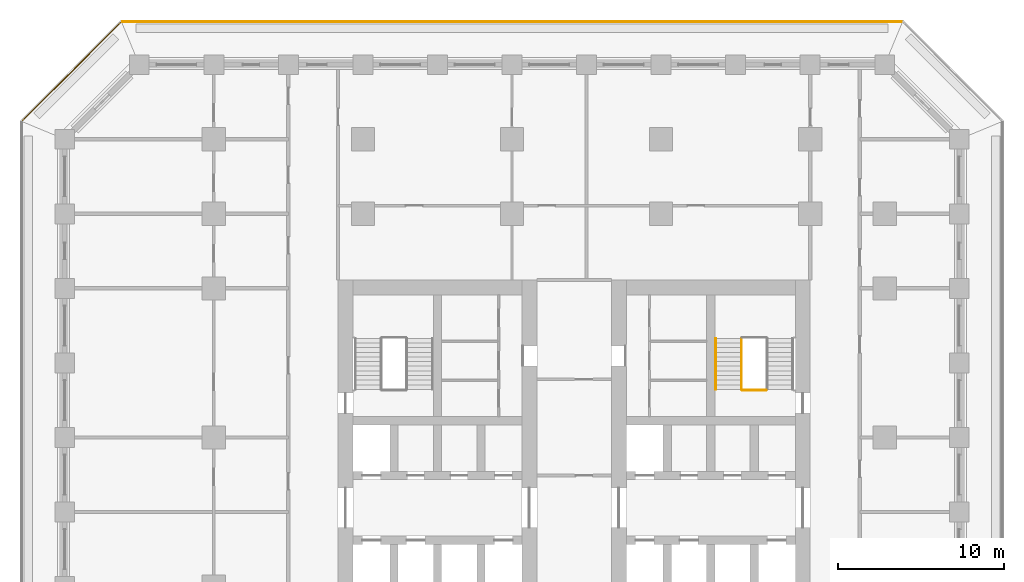
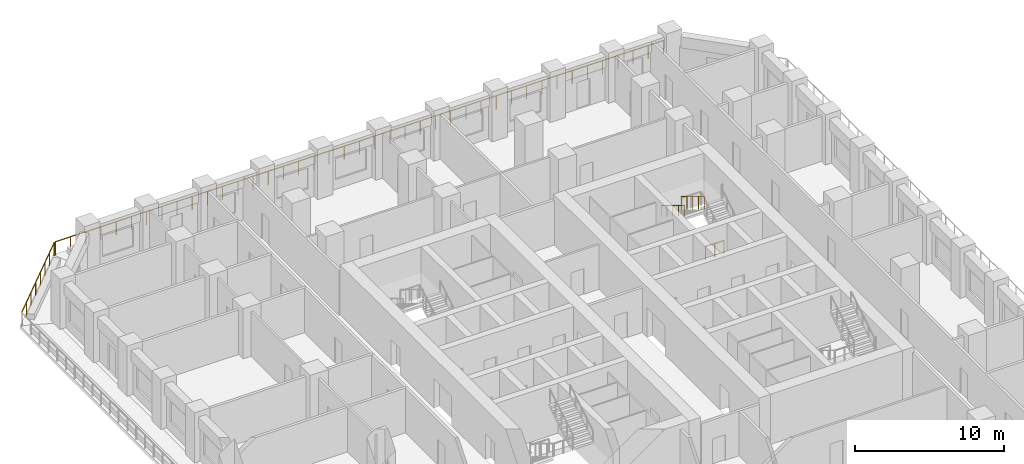
# One storey, part 15 of 17: 5 railings.
"""IFC4 building model written with IfcOpenShell, lengths in metres."""

from ifc_helpers import new_model, si_unit, direction, frame, origin, origin_2d, place, context, subcontext, project, spatial, circle, extrude, material, type_object, element, save


model = new_model("IFC4")

# Units and contexts
model_context = context("Model", 3, precision=1e-05, world=origin(), true_north=direction((0.0, 1.0)))
body_context = subcontext(model_context, "Body", "Model", "MODEL_VIEW")
ifc_project = project(units=[si_unit("LENGTHUNIT", "METRE"), si_unit("AREAUNIT", "SQUARE_METRE"), si_unit("VOLUMEUNIT", "CUBIC_METRE"), si_unit("PLANEANGLEUNIT", "RADIAN"), si_unit("MASSUNIT", "GRAM", prefix="KILO")], contexts=[model_context])

# Site, building, storey
site_placement = place(None, origin())
site = spatial("IfcSite", under=ifc_project, at=site_placement, CompositionType="ELEMENT")
building_placement = place(site_placement, origin())
building = spatial("IfcBuilding", under=site, at=building_placement, Name="Corbel Stack Research Tower", CompositionType="ELEMENT")
storey_placement = place(building_placement, frame((0.0, 0.0, 129.0)))
storey = spatial("IfcBuildingStorey", under=building, at=storey_placement, Name="L29", CompositionType="ELEMENT", Elevation=129.0)

# Railings
ifc_material_1 = material(Name="Steel S355", Category="steel")
railing_type_1 = type_object("IfcRailingType", Name="Stair guard 1100", PredefinedType="GUARDRAIL", material=ifc_material_1)
railing_1_placement = place(storey_placement, frame((13.85009765625, 14.97998046875, 2.220947265625)))
element("IfcRailing", 1, at=railing_1_placement, inside=storey, type_object=railing_type_1, Name="L29 ST-E2 stair guard 4", PredefinedType="GUARDRAIL", context=body_context, shape_type="SweptSolid", body=[
    extrude(circle(Radius=0.02392578125, at=origin_2d()), frame((0.0, 0.0, 1.076171875), z_axis=(0.0, -0.853666305674, 0.52082035152), x_axis=(1.0, 0.0, 0.0)), (0.0, 0.0, 1.0), 3.608154296875),
    extrude(circle(Radius=0.02099609375, at=origin_2d()), origin(), (0.0, 0.0, 1.0), 1.052001953125),
    extrude(circle(Radius=0.02099609375, at=origin_2d()), frame((0.0, -0.77001953125, 0.4697265625)), (0.0, 0.0, 1.0), 1.052001953125),
    extrude(circle(Radius=0.02099609375, at=origin_2d()), frame((0.0, -1.5400390625, 0.939453125)), (0.0, 0.0, 1.0), 1.052001953125),
    extrude(circle(Radius=0.02099609375, at=origin_2d()), frame((0.0, -2.31005859375, 1.409423828125)), (0.0, 0.0, 1.0), 1.052001953125),
    extrude(circle(Radius=0.02099609375, at=origin_2d()), frame((0.0, -3.080078125, 1.879150390625)), (0.0, 0.0, 1.0), 1.052001953125),
])
railing_2_placement = place(storey_placement, frame((15.35009765625, 11.85009765625, 0.0)))
element("IfcRailing", 2, at=railing_2_placement, inside=storey, type_object=railing_type_1, Name="L29 ST-E2 stair guard 5", PredefinedType="GUARDRAIL", context=body_context, shape_type="SweptSolid", body=[
    extrude(circle(Radius=0.02392578125, at=origin_2d()), frame((0.0, 0.0, 1.076171875), z_axis=(-1.0, 0.0, 0.0), x_axis=(0.0, -1.0, 0.0)), (0.0, 0.0, 1.0), 1.4501953125),
    extrude(circle(Radius=0.02099609375, at=origin_2d()), origin(), (0.0, 0.0, 1.0), 1.052001953125),
    extrude(circle(Radius=0.02099609375, at=origin_2d()), frame((-0.72509765625, 0.0, 0.0)), (0.0, 0.0, 1.0), 1.052001953125),
    extrude(circle(Radius=0.02099609375, at=origin_2d()), frame((-1.4501953125, 0.0, 0.0)), (0.0, 0.0, 1.0), 1.052001953125),
])
ifc_material_2 = material(Name="Steel S355", Category="steel")
railing_type_2 = type_object("IfcRailingType", Name="Stair handrail 900", PredefinedType="HANDRAIL", material=ifc_material_2)
railing_3_placement = place(storey_placement, frame((12.300048828125, 14.97998046875, 2.220947265625)))
element("IfcRailing", 3, at=railing_3_placement, inside=storey, type_object=railing_type_2, Name="L29 ST-E2 stair handrail 2", PredefinedType="HANDRAIL", context=body_context, shape_type="SweptSolid", body=[
    extrude(circle(Radius=0.02392578125, at=origin_2d()), frame((0.0, 0.0, 0.8759765625), z_axis=(0.0, -0.853666305674, 0.52082035152), x_axis=(1.0, 0.0, 0.0)), (0.0, 0.0, 1.0), 3.608154296875),
    extrude(circle(Radius=0.02099609375, at=origin_2d()), origin(), (0.0, 0.0, 1.0), 0.851806640625),
    extrude(circle(Radius=0.02099609375, at=origin_2d()), frame((0.0, -0.77001953125, 0.4697265625)), (0.0, 0.0, 1.0), 0.851806640625),
    extrude(circle(Radius=0.02099609375, at=origin_2d()), frame((0.0, -1.5400390625, 0.939453125)), (0.0, 0.0, 1.0), 0.851806640625),
    extrude(circle(Radius=0.02099609375, at=origin_2d()), frame((0.0, -2.31005859375, 1.409423828125)), (0.0, 0.0, 1.0), 0.851806640625),
    extrude(circle(Radius=0.02099609375, at=origin_2d()), frame((0.0, -3.080078125, 1.879150390625)), (0.0, 0.0, 1.0), 0.851806640625),
])
ifc_material_3 = material(Name="Powder-coated steel guard", Category="steel")
railing_type_3 = type_object("IfcRailingType", Name="Steel and glass guard 1100", PredefinedType="GUARDRAIL", material=ifc_material_3)
railing_4_placement = place(storey_placement, frame((23.50537109375, 34.10009765625, 0.0)))
element("IfcRailing", 4, at=railing_4_placement, inside=storey, type_object=railing_type_3, Name="Loggia guard L29 N", PredefinedType="GUARDRAIL", context=body_context, shape_type="SweptSolid", body=[
    extrude(circle(Radius=0.02392578125, at=origin_2d()), frame((0.0, 0.0, 1.076171875), z_axis=(-1.0, 0.0, 0.0), x_axis=(0.0, -1.0, 0.0)), (0.0, 0.0, 1.0), 47.0107421875),
    extrude(circle(Radius=0.02099609375, at=origin_2d()), origin(), (0.0, 0.0, 1.0), 1.052001953125),
    extrude(circle(Radius=0.02099609375, at=origin_2d()), frame((-1.17529296875, 0.0, 0.0)), (0.0, 0.0, 1.0), 1.052001953125),
    extrude(circle(Radius=0.02099609375, at=origin_2d()), frame((-2.3505859375, 0.0, 0.0)), (0.0, 0.0, 1.0), 1.052001953125),
    extrude(circle(Radius=0.02099609375, at=origin_2d()), frame((-3.52587890625, 0.0, 0.0)), (0.0, 0.0, 1.0), 1.052001953125),
    extrude(circle(Radius=0.02099609375, at=origin_2d()), frame((-4.701171875, 0.0, 0.0)), (0.0, 0.0, 1.0), 1.052001953125),
    extrude(circle(Radius=0.02099609375, at=origin_2d()), frame((-5.87646484375, 0.0, 0.0)), (0.0, 0.0, 1.0), 1.052001953125),
    extrude(circle(Radius=0.02099609375, at=origin_2d()), frame((-7.051513671875, 0.0, 0.0)), (0.0, 0.0, 1.0), 1.052001953125),
    extrude(circle(Radius=0.02099609375, at=origin_2d()), frame((-8.226806640625, 0.0, 0.0)), (0.0, 0.0, 1.0), 1.052001953125),
    extrude(circle(Radius=0.02099609375, at=origin_2d()), frame((-9.402099609375, 0.0, 0.0)), (0.0, 0.0, 1.0), 1.052001953125),
    extrude(circle(Radius=0.02099609375, at=origin_2d()), frame((-10.577392578125, 0.0, 0.0)), (0.0, 0.0, 1.0), 1.052001953125),
    extrude(circle(Radius=0.02099609375, at=origin_2d()), frame((-11.752685546875, 0.0, 0.0)), (0.0, 0.0, 1.0), 1.052001953125),
    extrude(circle(Radius=0.02099609375, at=origin_2d()), frame((-12.927978515625, 0.0, 0.0)), (0.0, 0.0, 1.0), 1.052001953125),
    extrude(circle(Radius=0.02099609375, at=origin_2d()), frame((-14.103271484375, 0.0, 0.0)), (0.0, 0.0, 1.0), 1.052001953125),
    extrude(circle(Radius=0.02099609375, at=origin_2d()), frame((-15.278564453125, 0.0, 0.0)), (0.0, 0.0, 1.0), 1.052001953125),
    extrude(circle(Radius=0.02099609375, at=origin_2d()), frame((-16.453857421875, 0.0, 0.0)), (0.0, 0.0, 1.0), 1.052001953125),
    extrude(circle(Radius=0.02099609375, at=origin_2d()), frame((-17.62890625, 0.0, 0.0)), (0.0, 0.0, 1.0), 1.052001953125),
    extrude(circle(Radius=0.02099609375, at=origin_2d()), frame((-18.80419921875, 0.0, 0.0)), (0.0, 0.0, 1.0), 1.052001953125),
    extrude(circle(Radius=0.02099609375, at=origin_2d()), frame((-19.9794921875, 0.0, 0.0)), (0.0, 0.0, 1.0), 1.052001953125),
    extrude(circle(Radius=0.02099609375, at=origin_2d()), frame((-21.15478515625, 0.0, 0.0)), (0.0, 0.0, 1.0), 1.052001953125),
    extrude(circle(Radius=0.02099609375, at=origin_2d()), frame((-22.330078125, 0.0, 0.0)), (0.0, 0.0, 1.0), 1.052001953125),
    extrude(circle(Radius=0.02099609375, at=origin_2d()), frame((-23.50537109375, 0.0, 0.0)), (0.0, 0.0, 1.0), 1.052001953125),
    extrude(circle(Radius=0.02099609375, at=origin_2d()), frame((-24.6806640625, 0.0, 0.0)), (0.0, 0.0, 1.0), 1.052001953125),
    extrude(circle(Radius=0.02099609375, at=origin_2d()), frame((-25.85595703125, 0.0, 0.0)), (0.0, 0.0, 1.0), 1.052001953125),
    extrude(circle(Radius=0.02099609375, at=origin_2d()), frame((-27.03125, 0.0, 0.0)), (0.0, 0.0, 1.0), 1.052001953125),
    extrude(circle(Radius=0.02099609375, at=origin_2d()), frame((-28.20654296875, 0.0, 0.0)), (0.0, 0.0, 1.0), 1.052001953125),
    extrude(circle(Radius=0.02099609375, at=origin_2d()), frame((-29.3818359375, 0.0, 0.0)), (0.0, 0.0, 1.0), 1.052001953125),
    extrude(circle(Radius=0.02099609375, at=origin_2d()), frame((-30.556884765625, 0.0, 0.0)), (0.0, 0.0, 1.0), 1.052001953125),
    extrude(circle(Radius=0.02099609375, at=origin_2d()), frame((-31.732177734375, 0.0, 0.0)), (0.0, 0.0, 1.0), 1.052001953125),
    extrude(circle(Radius=0.02099609375, at=origin_2d()), frame((-32.907470703125, 0.0, 0.0)), (0.0, 0.0, 1.0), 1.052001953125),
    extrude(circle(Radius=0.02099609375, at=origin_2d()), frame((-34.082763671875, 0.0, 0.0)), (0.0, 0.0, 1.0), 1.052001953125),
    extrude(circle(Radius=0.02099609375, at=origin_2d()), frame((-35.258056640625, 0.0, 0.0)), (0.0, 0.0, 1.0), 1.052001953125),
    extrude(circle(Radius=0.02099609375, at=origin_2d()), frame((-36.433349609375, 0.0, 0.0)), (0.0, 0.0, 1.0), 1.052001953125),
    extrude(circle(Radius=0.02099609375, at=origin_2d()), frame((-37.608642578125, 0.0, 0.0)), (0.0, 0.0, 1.0), 1.052001953125),
    extrude(circle(Radius=0.02099609375, at=origin_2d()), frame((-38.783935546875, 0.0, 0.0)), (0.0, 0.0, 1.0), 1.052001953125),
    extrude(circle(Radius=0.02099609375, at=origin_2d()), frame((-39.959228515625, 0.0, 0.0)), (0.0, 0.0, 1.0), 1.052001953125),
    extrude(circle(Radius=0.02099609375, at=origin_2d()), frame((-41.13427734375, 0.0, 0.0)), (0.0, 0.0, 1.0), 1.052001953125),
    extrude(circle(Radius=0.02099609375, at=origin_2d()), frame((-42.3095703125, 0.0, 0.0)), (0.0, 0.0, 1.0), 1.052001953125),
    extrude(circle(Radius=0.02099609375, at=origin_2d()), frame((-43.48486328125, 0.0, 0.0)), (0.0, 0.0, 1.0), 1.052001953125),
    extrude(circle(Radius=0.02099609375, at=origin_2d()), frame((-44.66015625, 0.0, 0.0)), (0.0, 0.0, 1.0), 1.052001953125),
    extrude(circle(Radius=0.02099609375, at=origin_2d()), frame((-45.83544921875, 0.0, 0.0)), (0.0, 0.0, 1.0), 1.052001953125),
    extrude(circle(Radius=0.02099609375, at=origin_2d()), frame((-47.0107421875, 0.0, 0.0)), (0.0, 0.0, 1.0), 1.052001953125),
])
railing_5_placement = place(storey_placement, frame((-23.627685546875, 34.04931640625, 0.0)))
element("IfcRailing", 5, at=railing_5_placement, inside=storey, type_object=railing_type_3, Name="Loggia guard L29 NW", PredefinedType="GUARDRAIL", context=body_context, shape_type="SweptSolid", body=[
    extrude(circle(Radius=0.02392578125, at=origin_2d()), frame((0.0, 0.0, 1.076171875), z_axis=(-0.707106781187, -0.707106781187, 0.0), x_axis=(0.707106781187, -0.707106781187, 0.0)), (0.0, 0.0, 1.0), 8.37451171875),
    extrude(circle(Radius=0.02099609375, at=origin_2d()), origin(), (0.0, 0.0, 1.0), 1.052001953125),
    extrude(circle(Radius=0.02099609375, at=origin_2d()), frame((-0.845947265625, -0.845947265625, 0.0)), (0.0, 0.0, 1.0), 1.052001953125),
    extrude(circle(Radius=0.02099609375, at=origin_2d()), frame((-1.69189453125, -1.69189453125, 0.0)), (0.0, 0.0, 1.0), 1.052001953125),
    extrude(circle(Radius=0.02099609375, at=origin_2d()), frame((-2.537841796875, -2.537841796875, 0.0)), (0.0, 0.0, 1.0), 1.052001953125),
    extrude(circle(Radius=0.02099609375, at=origin_2d()), frame((-3.3837890625, -3.3837890625, 0.0)), (0.0, 0.0, 1.0), 1.052001953125),
    extrude(circle(Radius=0.02099609375, at=origin_2d()), frame((-4.229736328125, -4.229736328125, 0.0)), (0.0, 0.0, 1.0), 1.052001953125),
    extrude(circle(Radius=0.02099609375, at=origin_2d()), frame((-5.07568359375, -5.07568359375, 0.0)), (0.0, 0.0, 1.0), 1.052001953125),
    extrude(circle(Radius=0.02099609375, at=origin_2d()), frame((-5.921630859375, -5.921630859375, 0.0)), (0.0, 0.0, 1.0), 1.052001953125),
])

save(model, "model.ifc")
